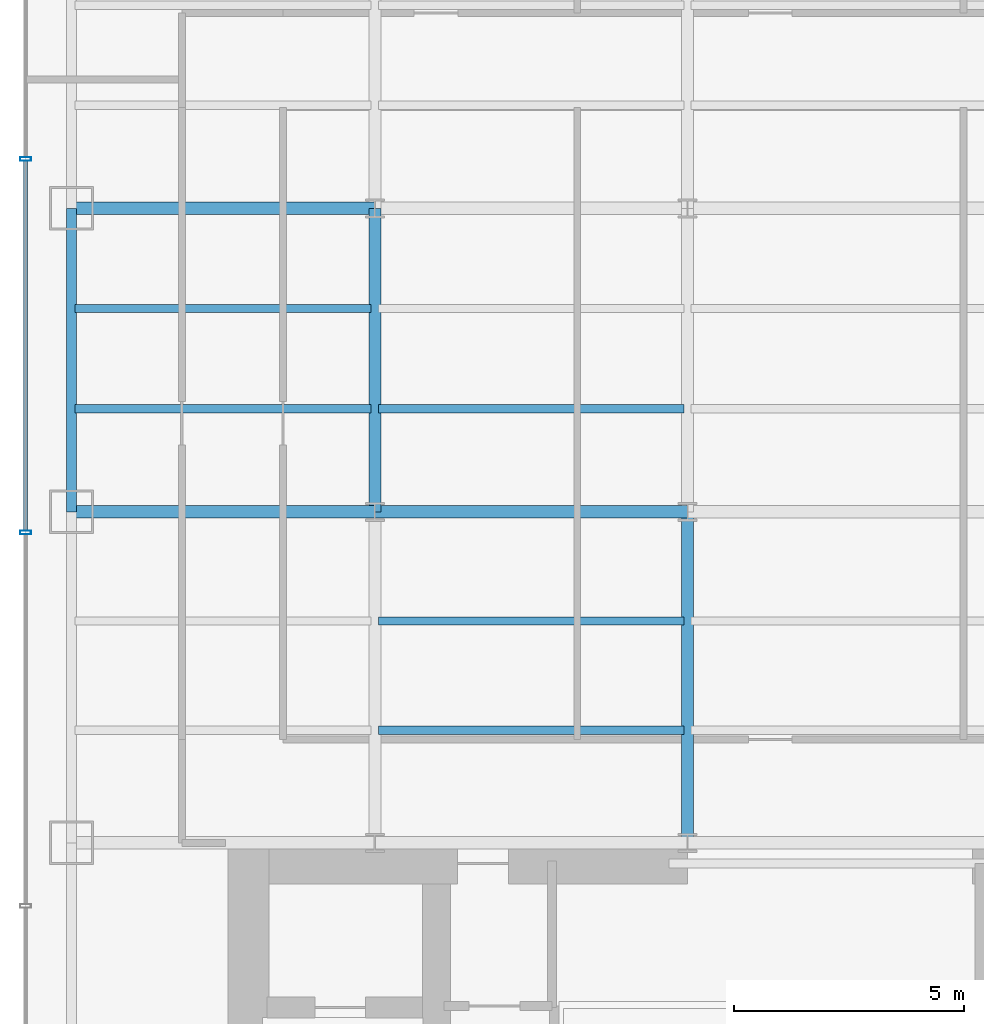
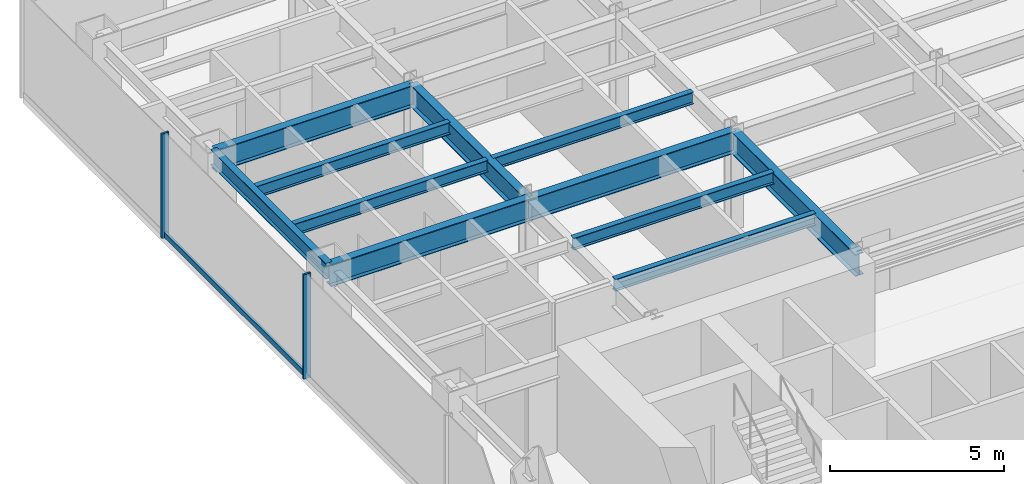
# One storey, part 4 of 23: 11 beams, 3 members, 1 element without a shape of its own.
"""IFC4 building model written with IfcOpenShell, lengths in metres."""

import ifcopenshell
import ifcopenshell.guid

model = None  # the IFC model being written
_history = None  # IfcOwnerHistory: only IFC2X3 demands one
_inside = {}  # id of a spatial element -> (the spatial element, [elements in it])
_under = {}  # id of a project, library or spatial element -> (it, [spatial elements below it])
_declared = {}  # id of a project -> (the project, [libraries it declares])
_typed = {}  # id of a type object -> (the type object, [elements of that type])
_made_of = {}  # id of a material, layer set ... -> (it, [elements and type objects made of it])


def new_model(schema):
    """Start an empty IFC model of exactly this schema.

    Asked for "IFC4X3", IfcOpenShell would pick the latest addendum, in which some entities
    have other attributes; the version numbers below select the first issue.
    IFC2X3 requires an IfcOwnerHistory on every rooted entity: one is made here for all.
    """
    global model, _history
    if schema == "IFC4X3":
        model = ifcopenshell.file(schema_version=(4, 3, 0, 0))
    else:
        model = ifcopenshell.file(schema=schema)
    _inside.clear()
    _under.clear()
    _declared.clear()
    _typed.clear()
    _made_of.clear()
    _history = None
    if model.schema == "IFC2X3":
        org = make("IfcOrganization", Name="unknown")
        user = make(
            "IfcPersonAndOrganization",
            ThePerson=make("IfcPerson", FamilyName="unknown"),
            TheOrganization=org,
        )
        app = make(
            "IfcApplication",
            ApplicationDeveloper=org,
            Version="unknown",
            ApplicationFullName="unknown",
            ApplicationIdentifier="unknown",
        )
        _history = make(
            "IfcOwnerHistory",
            OwningUser=user,
            OwningApplication=app,
            ChangeAction="ADDED",
            CreationDate=0,
        )
    return model


def make(cls, **values):
    """One entity of the class cls with the attributes given. An attribute that is None is left unset."""
    return model.create_entity(
        cls, **{name: value for name, value in values.items() if value is not None}
    )


def rooted(cls, **values):
    """An entity with a GlobalId (a new one), such as an element, a storey or a relation."""
    return make(cls, GlobalId=ifcopenshell.guid.new(), OwnerHistory=_history, **values)


def si_unit(unit_type, name, prefix=None):
    """IfcSIUnit, for example si_unit("LENGTHUNIT", "METRE", prefix="MILLI")."""
    return make("IfcSIUnit", UnitType=unit_type, Prefix=prefix, Name=name)


def derived_unit(unit_type, elements):
    """IfcDerivedUnit: a product of units, each with its exponent."""
    return make(
        "IfcDerivedUnit",
        Elements=[
            make("IfcDerivedUnitElement", Unit=unit, Exponent=power)
            for unit, power in elements
        ],
        UnitType=unit_type,
    )


def assignment(units):
    """IfcUnitAssignment: the units of a project."""
    return None if units is None else make("IfcUnitAssignment", Units=units)


def point(xyz):
    """IfcCartesianPoint."""
    return None if xyz is None else make("IfcCartesianPoint", Coordinates=xyz)


def direction(xyz):
    """IfcDirection."""
    return None if xyz is None else make("IfcDirection", DirectionRatios=xyz)


def frame(location, z_axis=None, x_axis=None):
    """IfcAxis2Placement3D, a coordinate frame: its origin and axes. An axis left out is left unset."""
    return make(
        "IfcAxis2Placement3D",
        Location=point(location),
        Axis=direction(z_axis),
        RefDirection=direction(x_axis),
    )


def frame_2d(location, x_axis=None):
    """IfcAxis2Placement2D, a coordinate frame in the plane: its origin and x axis."""
    return make(
        "IfcAxis2Placement2D", Location=point(location), RefDirection=direction(x_axis)
    )


def origin():
    """The frame at (0, 0, 0) with its axes left unset."""
    return frame((0.0, 0.0, 0.0))


def origin_2d():
    """The frame at (0, 0) in the plane with its x axis left unset."""
    return frame_2d((0.0, 0.0))


def place(relative_to, where):
    """IfcLocalPlacement: puts the frame where relative to a parent placement (None: the world)."""
    return make(
        "IfcLocalPlacement", PlacementRelTo=relative_to, RelativePlacement=where
    )


def context(
    kind, dimensions, precision=None, world=None, true_north=None, identifier=None
):
    """IfcGeometricRepresentationContext, for example the 3D "Model" context."""
    return make(
        "IfcGeometricRepresentationContext",
        ContextIdentifier=identifier,
        ContextType=kind,
        CoordinateSpaceDimension=dimensions,
        Precision=precision,
        WorldCoordinateSystem=world,
        TrueNorth=true_north,
    )


def subcontext(parent, identifier, kind, view, scale=None):
    """IfcGeometricRepresentationSubContext, for example "Body" below "Model"."""
    return make(
        "IfcGeometricRepresentationSubContext",
        ContextIdentifier=identifier,
        ContextType=kind,
        ParentContext=parent,
        TargetScale=scale,
        TargetView=view,
    )


def project(units=None, contexts=None):
    """IfcProject with its units and contexts."""
    return rooted(
        "IfcProject",
        Name="project",
        RepresentationContexts=contexts,
        UnitsInContext=assignment(units),
    )


def spatial(cls, under=None, at=None, **own):
    """A site, building, storey or space (cls), placed at a placement, below another one or the project."""
    s = rooted(cls, ObjectPlacement=at, **own)
    if under is not None:
        _under.setdefault(under.id(), (under, []))[1].append(s)
    return s


def profile(cls, at=None, kind="AREA", **sizes):
    """A parametric profile (cls). Its sizes go by their IFC names, for example OverallWidth=200.0."""
    return make(cls, ProfileType=kind, Position=at, **sizes)


def hollow_rectangle(**sizes):
    """IfcRectangleHollowProfileDef."""
    return profile("IfcRectangleHollowProfileDef", **sizes)


def i_section(**sizes):
    """IfcIShapeProfileDef."""
    return profile("IfcIShapeProfileDef", **sizes)


def extrude(swept, where, along, depth):
    """IfcExtrudedAreaSolid: the profile swept, set in the frame where, extruded along a direction by depth."""
    return make(
        "IfcExtrudedAreaSolid",
        SweptArea=swept,
        Position=where,
        ExtrudedDirection=direction(along),
        Depth=depth,
    )


def shape(context_of_items, identifier, shape_type, items):
    """IfcShapeRepresentation: the items that make up one representation, for example the "Body"."""
    return make(
        "IfcShapeRepresentation",
        ContextOfItems=context_of_items,
        RepresentationIdentifier=identifier,
        RepresentationType=shape_type,
        Items=items,
    )


def source(mapping_origin, context_of_items, identifier, shape_type, items):
    """IfcRepresentationMap: a shape defined once, which mapped items show again and again."""
    return make(
        "IfcRepresentationMap",
        MappingOrigin=mapping_origin,
        MappedRepresentation=shape(context_of_items, identifier, shape_type, items),
    )


def transform(
    local_origin,
    x_axis=None,
    y_axis=None,
    z_axis=None,
    scale=None,
    scale2=None,
    scale3=None,
    uniform=True,
):
    """IfcCartesianTransformationOperator3D, or its non-uniform kind. x_axis, y_axis, z_axis: its Axis1, 2, 3."""
    if uniform:
        return make(
            "IfcCartesianTransformationOperator3D",
            Axis1=direction(x_axis),
            Axis2=direction(y_axis),
            LocalOrigin=point(local_origin),
            Scale=scale,
            Axis3=direction(z_axis),
        )
    return make(
        "IfcCartesianTransformationOperator3DnonUniform",
        Axis1=direction(x_axis),
        Axis2=direction(y_axis),
        LocalOrigin=point(local_origin),
        Scale=scale,
        Axis3=direction(z_axis),
        Scale2=scale2,
        Scale3=scale3,
    )


def mapped(mapping_source, mapping_target):
    """IfcMappedItem: shows the shape of a source again, moved by a transform."""
    return make(
        "IfcMappedItem", MappingSource=mapping_source, MappingTarget=mapping_target
    )


def material(Name=None, Category=None):
    """IfcMaterial."""
    return make("IfcMaterial", Name=Name, Category=Category)


def material_profile(
    of_material, cross_section, Name=None, Category=None, Priority=None
):
    """IfcMaterialProfile: a cross section and its material."""
    return make(
        "IfcMaterialProfile",
        Name=Name,
        Material=of_material,
        Profile=cross_section,
        Priority=Priority,
        Category=Category,
    )


def profile_set(profiles, Name=None, composite=None):
    """IfcMaterialProfileSet."""
    return make(
        "IfcMaterialProfileSet",
        Name=Name,
        MaterialProfiles=profiles,
        CompositeProfile=composite,
    )


def made_of(thing, what):
    """Note that an element or type object is made of a material, layer set ...; save() writes the relation."""
    if what is not None:
        _made_of.setdefault(what.id(), (what, []))[1].append(thing)
    return thing


def type_object(cls, material=None, **own):
    """A type object (cls), such as IfcWallType, which elements share."""
    return made_of(rooted(cls, **own), material)


def element(
    cls,
    number,
    at=None,
    inside=None,
    cuts=None,
    type_object=None,
    material=None,
    context=None,
    identifier="Body",
    shape_type=None,
    held_by="IfcProductDefinitionShape",
    body=None,
    shapes=None,
    **own,
):
    """One element of the class cls, such as IfcWall. Its Tag is "e" and its number.

    at: its placement. inside: the storey or other place that contains it. cuts: it is an
    opening in that element (IfcRelVoidsElement). A single representation is given by context,
    identifier, shape_type and body (its items); several are given by shapes. held_by: the class
    of the entity that holds the representations. save() writes the other relations.
    """
    e = rooted(cls, Tag="e%d" % number, ObjectPlacement=at, **own)
    if body is not None:
        shapes = [shape(context, identifier, shape_type, body)]
    if shapes is not None:
        e.Representation = make(held_by, Representations=shapes)
    if inside is not None:
        _inside.setdefault(inside.id(), (inside, []))[1].append(e)
    if cuts is not None:
        rooted(
            "IfcRelVoidsElement", RelatingBuildingElement=cuts, RelatedOpeningElement=e
        )
    if type_object is not None:
        _typed.setdefault(type_object.id(), (type_object, []))[1].append(e)
    return made_of(e, material)


def aggregate(whole, parts):
    """IfcRelAggregates: a whole, such as a stair, and the parts it consists of."""
    return rooted("IfcRelAggregates", RelatingObject=whole, RelatedObjects=parts)


def save(model, path):
    """Write the relations noted so far, then the file.

    IfcRelAggregates (storeys below a building ...), IfcRelContainedInSpatialStructure (elements
    in a storey), IfcRelDefinesByType, IfcRelAssociatesMaterial and IfcRelDeclares: one each for
    every whole, place, type object, material and project.
    """
    for whole, parts in _under.values():
        aggregate(whole, parts)
    for where, things in _inside.values():
        rooted(
            "IfcRelContainedInSpatialStructure",
            RelatedElements=things,
            RelatingStructure=where,
        )
    for kind, things in _typed.values():
        rooted("IfcRelDefinesByType", RelatedObjects=things, RelatingType=kind)
    for what, things in _made_of.values():
        rooted("IfcRelAssociatesMaterial", RelatedObjects=things, RelatingMaterial=what)
    for by, libraries in _declared.values():
        rooted("IfcRelDeclares", RelatingContext=by, RelatedDefinitions=libraries)
    model.write(path)


model = new_model("IFC4")

# Units and contexts
model_context = context("Model", 3, precision=1e-05, world=origin(), true_north=direction((0.0, 1.0)))
body_context = subcontext(model_context, "Body", "Model", "MODEL_VIEW")
ifc_project = project(units=[si_unit("LENGTHUNIT", "METRE"), si_unit("AREAUNIT", "SQUARE_METRE"), si_unit("VOLUMEUNIT", "CUBIC_METRE"), si_unit("PLANEANGLEUNIT", "RADIAN"), si_unit("MASSUNIT", "GRAM", prefix="KILO"), derived_unit("THERMALTRANSMITTANCEUNIT", [(si_unit("POWERUNIT", "WATT"), 1), (si_unit("LENGTHUNIT", "METRE"), -2), (si_unit("THERMODYNAMICTEMPERATUREUNIT", "KELVIN"), -1)])], contexts=[model_context])

# Site, building, storey
site_placement = place(None, origin())
site = spatial("IfcSite", under=ifc_project, at=site_placement, CompositionType="ELEMENT")
building_placement = place(site_placement, origin())
building = spatial("IfcBuilding", under=site, at=building_placement, Name="Skarnbrae Concourse Arena and Tower", CompositionType="ELEMENT")
storey_placement = place(building_placement, frame((0.0, 0.0, 47.10009765625)))
storey = spatial("IfcBuildingStorey", under=building, at=storey_placement, Name="L10", CompositionType="ELEMENT", Elevation=47.10009765625)

# Beams
ifc_material_1 = material(Name="Steel CSA G40.21 350W", Category="steel")
ifc_material_profile_1 = material_profile(ifc_material_1, i_section(OverallWidth=0.26806640625, OverallDepth=0.77001953125, WebThickness=0.015625, FlangeThickness=0.025390625, at=origin_2d()), Name="W760X196")
ifc_profile_set_1 = profile_set([ifc_material_profile_1], Name="Steel CSA G40.21 350W")
beam_type_1 = type_object("IfcBeamType", Name="BM-GIRD-W760X196", PredefinedType="BEAM", material=ifc_profile_set_1)
shared_shape_1 = source(origin(), body_context, "Body", "SweptSolid", [
    extrude(i_section(OverallWidth=0.26806640625, OverallDepth=0.77001953125, WebThickness=0.015625, FlangeThickness=0.025390625, at=origin_2d()), origin(), (0.0, 0.0, 1.0), 6.60009765625),
])
for number, where, z_axis, x_axis, name in (
    (1, (1.0, 21.199951171875, 3.014892578125), (1.0, 0.0, 0.0), (0.0, 1.0, 0.0), "L10 Primary E-W girder Y21.2-1"),
    (2, (1.0, 27.800048828125, 3.014892578125), (1.0, 0.0, 0.0), (0.0, 1.0, 0.0), "L10 Primary E-W girder Y27.8-1"),
    (3, (7.60009765625, 21.199951171875, 3.014892578125), (0.0, 1.0, 0.0), (-1.0, 0.0, 0.0), "L10 Primary N-S girder X7.6-2"),
):
    element("IfcBeam", number, at=place(storey_placement, frame(where, z_axis=z_axis, x_axis=x_axis)), inside=storey, type_object=beam_type_1, Name=name, PredefinedType="BEAM", context=body_context, shape_type="MappedRepresentation", body=[
        mapped(shared_shape_1, transform((0.0, 0.0, 0.0))),
    ])
shared_shape_2 = source(origin(), body_context, "Body", "SweptSolid", [
    extrude(i_section(OverallWidth=0.26806640625, OverallDepth=0.77001953125, WebThickness=0.015625, FlangeThickness=0.025390625, at=origin_2d()), origin(), (0.0, 0.0, 1.0), 6.7998046875),
])
beam_1_placement = place(storey_placement, frame((7.60009765625, 21.199951171875, 3.014892578125), z_axis=(1.0, 0.0, 0.0), x_axis=(0.0, 1.0, 0.0)))
element("IfcBeam", 4, at=beam_1_placement, inside=storey, type_object=beam_type_1, Name="L10 Primary E-W girder Y21.2-2", PredefinedType="BEAM", context=body_context, shape_type="MappedRepresentation", body=[
    mapped(shared_shape_2, transform((0.0, 0.0, 0.0))),
])
ifc_material_profile_2 = material_profile(ifc_material_1, i_section(OverallWidth=0.214111328125, OverallDepth=0.549072265625, WebThickness=0.0146484375, FlangeThickness=0.023681640625, at=origin_2d()), Name="W530X138")
ifc_profile_set_2 = profile_set([ifc_material_profile_2], Name="Steel CSA G40.21 350W")
beam_type_2 = type_object("IfcBeamType", Name="BM-SPAN-W530X138", PredefinedType="SPANDREL", material=ifc_profile_set_2)
shared_shape_3 = source(origin(), body_context, "Body", "SweptSolid", [
    extrude(i_section(OverallWidth=0.214111328125, OverallDepth=0.549072265625, WebThickness=0.0146484375, FlangeThickness=0.023681640625, at=origin_2d()), origin(), (0.0, 0.0, 1.0), 6.60009765625),
])
beam_2_placement = place(storey_placement, frame((1.0, 21.199951171875, 3.12548828125), z_axis=(0.0, 1.0, 0.0), x_axis=(-1.0, 0.0, 0.0)))
element("IfcBeam", 5, at=beam_2_placement, inside=storey, type_object=beam_type_2, Name="L10 Perimeter spandrel X1.0-3", PredefinedType="SPANDREL", context=body_context, shape_type="MappedRepresentation", body=[
    mapped(shared_shape_3, transform((0.0, 0.0, 0.0))),
])
shared_shape_4 = source(origin(), body_context, "Body", "SweptSolid", [
    extrude(i_section(OverallWidth=0.26806640625, OverallDepth=0.77001953125, WebThickness=0.015625, FlangeThickness=0.025390625, at=origin_2d()), origin(), (0.0, 0.0, 1.0), 7.199951171875),
])
beam_3_placement = place(storey_placement, frame((14.39990234375, 14.0, 3.014892578125), z_axis=(0.0, 1.0, 0.0), x_axis=(-1.0, 0.0, 0.0)))
element("IfcBeam", 6, at=beam_3_placement, inside=storey, type_object=beam_type_1, Name="L10 Primary N-S girder X14.4-1", PredefinedType="BEAM", context=body_context, shape_type="MappedRepresentation", body=[
    mapped(shared_shape_4, transform((0.0, 0.0, 0.0))),
])
ifc_material_profile_3 = material_profile(ifc_material_1, i_section(OverallWidth=0.180908203125, OverallDepth=0.4169921875, WebThickness=0.010986328125, FlangeThickness=0.018310546875, at=origin_2d()), Name="W410X85")
ifc_profile_set_3 = profile_set([ifc_material_profile_3], Name="Steel CSA G40.21 350W")
beam_type_3 = type_object("IfcBeamType", Name="BM-JOIST-W410X85", PredefinedType="JOIST", material=ifc_profile_set_3)
shared_shape_5 = source(origin(), body_context, "Body", "SweptSolid", [
    extrude(i_section(OverallWidth=0.180908203125, OverallDepth=0.4169921875, WebThickness=0.010986328125, FlangeThickness=0.018310546875, at=origin_2d()), origin(), (0.0, 0.0, 1.0), 6.43994140625),
])
for number, where, z_axis, x_axis, name in (
    (7, (1.080078125, 23.444091796875, 3.19140625), (1.0, 0.0, 0.0), (0.0, 1.0, 0.0), "L10 Secondary floor joist 2.1.1"),
    (8, (1.080078125, 25.6220703125, 3.19140625), (1.0, 0.0, 0.0), (0.0, 1.0, 0.0), "L10 Secondary floor joist 2.2.1"),
):
    element("IfcBeam", number, at=place(storey_placement, frame(where, z_axis=z_axis, x_axis=x_axis)), inside=storey, type_object=beam_type_3, Name=name, PredefinedType="JOIST", context=body_context, shape_type="MappedRepresentation", body=[
        mapped(shared_shape_5, transform((0.0, 0.0, 0.0))),
    ])
shared_shape_6 = source(origin(), body_context, "Body", "SweptSolid", [
    extrude(i_section(OverallWidth=0.180908203125, OverallDepth=0.4169921875, WebThickness=0.010986328125, FlangeThickness=0.018310546875, at=origin_2d()), origin(), (0.0, 0.0, 1.0), 6.64013671875),
])
for number, where, z_axis, x_axis, name in (
    (9, (7.679931640625, 16.447998046875, 3.19140625), (1.0, 0.0, 0.0), (0.0, 1.0, 0.0), "L10 Secondary floor joist 1.1.2"),
    (10, (7.679931640625, 18.823974609375, 3.19140625), (1.0, 0.0, 0.0), (0.0, 1.0, 0.0), "L10 Secondary floor joist 1.2.2"),
    (11, (7.679931640625, 23.444091796875, 3.19140625), (1.0, 0.0, 0.0), (0.0, 1.0, 0.0), "L10 Secondary floor joist 2.1.2"),
):
    element("IfcBeam", number, at=place(storey_placement, frame(where, z_axis=z_axis, x_axis=x_axis)), inside=storey, type_object=beam_type_3, Name=name, PredefinedType="JOIST", context=body_context, shape_type="MappedRepresentation", body=[
        mapped(shared_shape_6, transform((0.0, 0.0, 0.0))),
    ])

# Curtain wall, members
ifc_material_2 = material(Name="Bronze anodised aluminium 6063-T6", Category="aluminium")
curtain_wall_type = type_object("IfcCurtainWallType", Name="CW-SYS-02-LOWZONE", PredefinedType="USERDEFINED", material=ifc_material_2)
curtain_wall_placement = place(storey_placement, origin())
curtain_wall = element("IfcCurtainWall", 12, at=curtain_wall_placement, inside=storey, type_object=curtain_wall_type, Name="L10 Unitised curtain wall CW-L10-E19", ObjectType="UNITISED CURTAIN WALL", PredefinedType="USERDEFINED")
ifc_material_profile_4 = material_profile(ifc_material_2, hollow_rectangle(XDim=0.080078125, YDim=0.239990234375, WallThickness=0.0048828125, at=origin_2d()), Name="ALU-MULL-80X240")
ifc_profile_set_4 = profile_set([ifc_material_profile_4], Name="Bronze anodised aluminium 6063-T6")
member_type_1 = type_object("IfcMemberType", Name="CWM-CW-02", PredefinedType="MULLION", material=ifc_profile_set_4)
shared_shape_7 = source(origin(), body_context, "Body", "SweptSolid", [
    extrude(hollow_rectangle(XDim=0.080078125, YDim=0.239990234375, WallThickness=0.0048828125, at=origin_2d()), origin(), (0.0, 0.0, 1.0), 3.64990234375),
])
member_1_placement = place(storey_placement, frame((0.0, 28.875, 0.0), z_axis=(0.0, 0.0, 1.0), x_axis=(0.0, -1.0, 0.0)))
member_1 = element("IfcMember", 13, at=member_1_placement, type_object=member_type_1, Name="CW-L10-E19 Mullion 2", PredefinedType="MULLION", context=body_context, shape_type="MappedRepresentation", body=[
    mapped(shared_shape_7, transform((0.0, 0.0, 0.0))),
])
member_2_placement = place(storey_placement, frame((0.0, 20.75, 0.0), z_axis=(0.0, 0.0, 1.0), x_axis=(0.0, -1.0, 0.0)))
member_2 = element("IfcMember", 14, at=member_2_placement, type_object=member_type_1, Name="CW-L10-E19 Mullion 3", PredefinedType="MULLION", context=body_context, shape_type="MappedRepresentation", body=[
    mapped(shared_shape_7, transform((0.0, 0.0, 0.0))),
])
ifc_material_profile_5 = material_profile(ifc_material_2, hollow_rectangle(XDim=0.080078125, YDim=0.18994140625, WallThickness=0.0048828125, at=origin_2d()), Name="ALU-TRAN-80X190")
ifc_profile_set_5 = profile_set([ifc_material_profile_5], Name="Bronze anodised aluminium 6063-T6")
member_type_2 = type_object("IfcMemberType", Name="CWT-CW-02", PredefinedType="USERDEFINED", material=ifc_profile_set_5)
shared_shape_8 = source(origin(), body_context, "Body", "SweptSolid", [
    extrude(hollow_rectangle(XDim=0.080078125, YDim=0.18994140625, WallThickness=0.0048828125, at=origin_2d()), origin(), (0.0, 0.0, 1.0), 8.044921875),
])
member_3_placement = place(storey_placement, frame((0.0, 28.8349609375, 0.094970703125), z_axis=(0.0, -1.0, 0.0), x_axis=(1.0, 0.0, 0.0)))
member_3 = element("IfcMember", 15, at=member_3_placement, type_object=member_type_2, Name="CW-L10-E19 Transom 2", ObjectType="TRANSOM", PredefinedType="USERDEFINED", context=body_context, shape_type="MappedRepresentation", body=[
    mapped(shared_shape_8, transform((0.0, 0.0, 0.0))),
])
aggregate(curtain_wall, [member_1, member_2, member_3])

save(model, "model.ifc")
